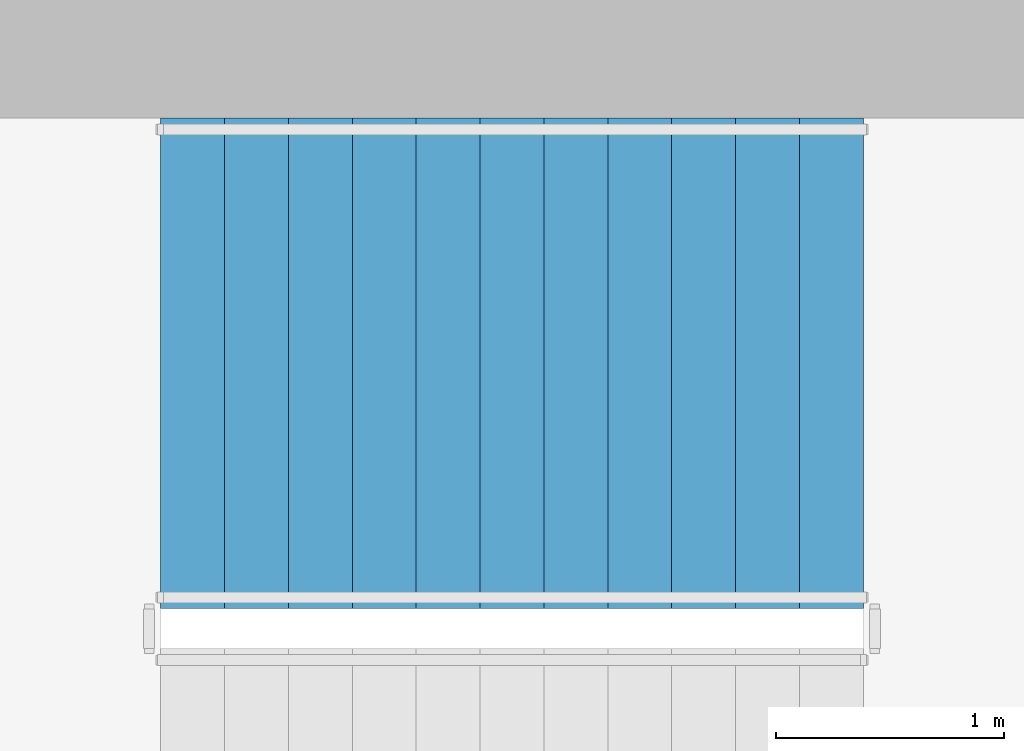
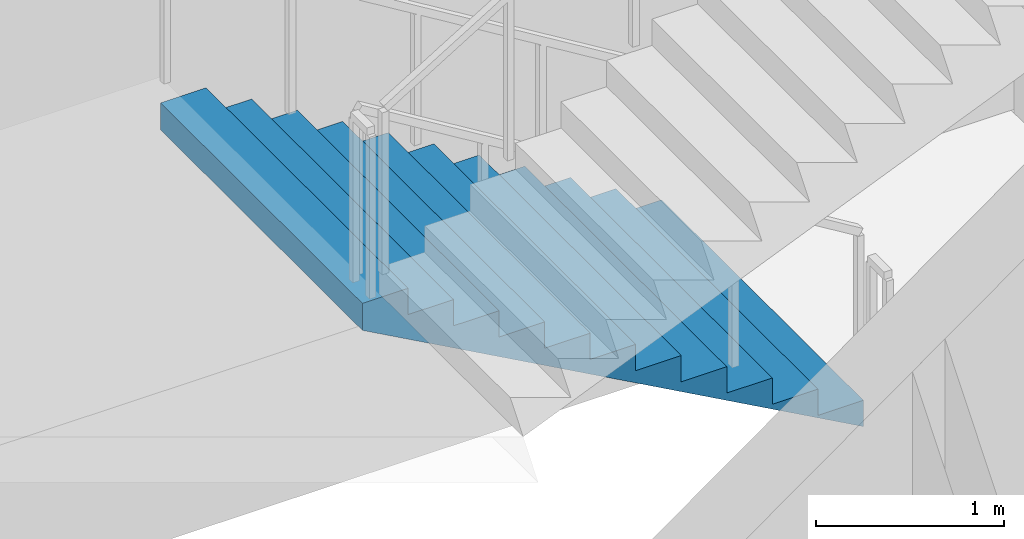
# One storey, part 11 of 18: 1 stair flight, 1 element without a shape of its own.
"""IFC4 building model written with IfcOpenShell, lengths in metres."""

from ifc_helpers import new_model, si_unit, direction, frame, origin, place, context, subcontext, project, spatial, triangles, material, type_object, element, aggregate, save


model = new_model("IFC4")

# Units and contexts
model_context = context("Model", 3, precision=1e-05, world=origin(), true_north=direction((0.0, 1.0)))
body_context = subcontext(model_context, "Body", "Model", "MODEL_VIEW")
ifc_project = project(units=[si_unit("LENGTHUNIT", "METRE"), si_unit("AREAUNIT", "SQUARE_METRE"), si_unit("VOLUMEUNIT", "CUBIC_METRE"), si_unit("PLANEANGLEUNIT", "RADIAN"), si_unit("MASSUNIT", "GRAM", prefix="KILO")], contexts=[model_context])

# Site, building, storey
site_placement = place(None, origin())
site = spatial("IfcSite", under=ifc_project, at=site_placement, CompositionType="ELEMENT")
building_placement = place(site_placement, origin())
building = spatial("IfcBuilding", under=site, at=building_placement, Name="Cypress Arch Tower", CompositionType="ELEMENT")
storey_placement = place(building_placement, frame((0.0, 0.0, 160.5)))
storey = spatial("IfcBuildingStorey", under=building, at=storey_placement, Name="L34", CompositionType="ELEMENT", Elevation=160.5)

# Stair, stair flight
ifc_material_1 = material(Name="Concrete C40/50", Category="concrete")
stair_type = type_object("IfcStairType", Name="Exit stair ES1708-215", PredefinedType="HALF_TURN_STAIR", material=ifc_material_1)
stair_placement = place(storey_placement, origin())
stair = element("IfcStair", 1, at=stair_placement, inside=storey, type_object=stair_type, Name="L34 Exit stair B", PredefinedType="HALF_TURN_STAIR")
ifc_material_2 = material(Name="Concrete C40/50", Category="concrete")
stair_flight_type = type_object("IfcStairFlightType", Name="Exit stair flight ES1708-215", PredefinedType="STRAIGHT", material=ifc_material_2)
stair_flight_placement = place(storey_placement, frame((-22.27490234375, 13.72509765625, 0.0), z_axis=(0.0, 0.0, 1.0), x_axis=(-1.0, 0.0, 0.0)))
stair_flight = element("IfcStairFlight", 2, at=stair_flight_placement, type_object=stair_flight_type, Name="B flight 1", NumberOfRisers=12, NumberOfTreads=11, PredefinedType="STRAIGHT", RiserHeight=0.170833333, TreadLength=0.28, context=body_context, shape_type="Tessellation", body=[
    triangles([(0.0, -1.074951171875, 0.0), (0.000244140625, -1.074951171875, 0.01904296875), (0.000244140625, -1.074951171875, 0.0380859375), (0.00048828125, -1.074951171875, 0.056884765625), (0.00048828125, -1.074951171875, 0.075927734375), (0.00048828125, -1.074951171875, 0.094970703125), (0.00048828125, -1.074951171875, 0.114013671875), (0.000244140625, -1.074951171875, 0.1328125), (0.000244140625, -1.074951171875, 0.15185546875), (0.0, -1.074951171875, 0.1708984375), (0.280029296875, -1.074951171875, 0.1708984375), (0.280029296875, -1.074951171875, 0.341552734375), (0.56005859375, -1.074951171875, 0.341552734375), (0.56005859375, -1.074951171875, 0.512451171875), (0.840087890625, -1.074951171875, 0.512451171875), (0.840087890625, -1.074951171875, 0.683349609375), (1.1201171875, -1.074951171875, 0.683349609375), (1.1201171875, -1.074951171875, 0.854248046875), (1.39990234375, -1.074951171875, 0.854248046875), (1.39990234375, -1.074951171875, 1.02490234375), (1.679931640625, -1.074951171875, 1.02490234375), (1.679931640625, -1.074951171875, 1.19580078125), (1.9599609375, -1.074951171875, 1.19580078125), (1.9599609375, -1.074951171875, 1.36669921875), (2.239990234375, -1.074951171875, 1.36669921875), (2.239990234375, -1.074951171875, 1.53759765625), (2.52001953125, -1.074951171875, 1.53759765625), (2.52001953125, -1.074951171875, 1.708251953125), (2.800048828125, -1.074951171875, 1.708251953125), (2.800048828125, -1.074951171875, 1.879150390625), (3.080078125, -1.074951171875, 1.879150390625), (3.079833984375, -1.074951171875, 1.859619140625), (3.079833984375, -1.074951171875, 1.840087890625), (3.07958984375, -1.074951171875, 1.820556640625), (3.07958984375, -1.074951171875, 1.801025390625), (3.07958984375, -1.074951171875, 1.78173828125), (3.07958984375, -1.074951171875, 1.76220703125), (3.079833984375, -1.074951171875, 1.74267578125), (3.079833984375, -1.074951171875, 1.72314453125), (3.080078125, -1.074951171875, 1.70361328125), (3.080078125, 1.074951171875, 1.70361328125), (3.079833984375, 1.074951171875, 1.72314453125), (3.079833984375, 1.074951171875, 1.74267578125), (3.07958984375, 1.074951171875, 1.76220703125), (3.07958984375, 1.074951171875, 1.78173828125), (3.07958984375, 1.074951171875, 1.801025390625), (3.07958984375, 1.074951171875, 1.820556640625), (3.079833984375, 1.074951171875, 1.840087890625), (3.079833984375, 1.074951171875, 1.859619140625), (3.080078125, 1.074951171875, 1.879150390625), (2.800048828125, 1.074951171875, 1.879150390625), (2.800048828125, 1.074951171875, 1.708251953125), (2.52001953125, 1.074951171875, 1.708251953125), (2.52001953125, 1.074951171875, 1.53759765625), (2.239990234375, 1.074951171875, 1.53759765625), (2.239990234375, 1.074951171875, 1.36669921875), (1.9599609375, 1.074951171875, 1.36669921875), (1.9599609375, 1.074951171875, 1.19580078125), (1.679931640625, 1.074951171875, 1.19580078125), (1.679931640625, 1.074951171875, 1.02490234375), (1.39990234375, 1.074951171875, 1.02490234375), (1.39990234375, 1.074951171875, 0.854248046875), (1.1201171875, 1.074951171875, 0.854248046875), (1.1201171875, 1.074951171875, 0.683349609375), (0.840087890625, 1.074951171875, 0.683349609375), (0.840087890625, 1.074951171875, 0.512451171875), (0.56005859375, 1.074951171875, 0.512451171875), (0.56005859375, 1.074951171875, 0.341552734375), (0.280029296875, 1.074951171875, 0.341552734375), (0.280029296875, 1.074951171875, 0.1708984375), (0.0, 1.074951171875, 0.1708984375), (0.000244140625, 1.074951171875, 0.15185546875), (0.000244140625, 1.074951171875, 0.1328125), (0.00048828125, 1.074951171875, 0.114013671875), (0.00048828125, 1.074951171875, 0.094970703125), (0.00048828125, 1.074951171875, 0.075927734375), (0.00048828125, 1.074951171875, 0.056884765625), (0.000244140625, 1.074951171875, 0.0380859375), (0.000244140625, 1.074951171875, 0.01904296875), (0.0, 1.074951171875, 0.0)], [[40, 39, 30], [39, 38, 30], [38, 37, 30], [37, 36, 30], [36, 35, 30], [35, 34, 30], [34, 33, 30], [33, 32, 30], [32, 31, 30], [19, 18, 17], [27, 26, 25], [25, 24, 23], [23, 22, 21], [17, 16, 15], [15, 14, 13], [10, 9, 11], [9, 8, 11], [8, 7, 11], [7, 6, 11], [6, 5, 11], [5, 4, 11], [4, 3, 11], [3, 2, 11], [2, 1, 11], [29, 28, 27], [21, 20, 19], [13, 12, 11], [40, 30, 29], [40, 29, 27], [40, 27, 25], [40, 25, 23], [40, 23, 21], [40, 21, 19], [40, 19, 17], [40, 17, 15], [40, 15, 13], [1, 40, 13], [13, 11, 1], [41, 51, 42], [42, 51, 43], [43, 51, 44], [44, 51, 45], [45, 51, 46], [46, 51, 47], [47, 51, 48], [48, 51, 49], [49, 51, 50], [62, 64, 63], [54, 56, 55], [56, 58, 57], [58, 60, 59], [64, 66, 65], [66, 68, 67], [71, 70, 72], [72, 70, 73], [73, 70, 74], [74, 70, 75], [75, 70, 76], [76, 70, 77], [77, 70, 78], [78, 70, 79], [79, 70, 80], [52, 54, 53], [60, 62, 61], [68, 70, 69], [41, 52, 51], [41, 54, 52], [41, 56, 54], [41, 58, 56], [41, 60, 58], [41, 62, 60], [41, 64, 62], [41, 66, 64], [41, 68, 66], [80, 68, 41], [68, 80, 70], [41, 42, 39], [41, 39, 40], [42, 43, 38], [42, 38, 39], [43, 44, 37], [43, 37, 38], [44, 45, 36], [44, 36, 37], [45, 46, 35], [45, 35, 36], [46, 47, 34], [46, 34, 35], [47, 48, 33], [47, 33, 34], [48, 49, 32], [48, 32, 33], [49, 50, 31], [49, 31, 32], [50, 51, 30], [50, 30, 31], [51, 52, 29], [51, 29, 30], [52, 53, 28], [52, 28, 29], [53, 54, 27], [53, 27, 28], [54, 55, 26], [54, 26, 27], [55, 56, 25], [55, 25, 26], [56, 57, 24], [56, 24, 25], [57, 58, 23], [57, 23, 24], [58, 59, 22], [58, 22, 23], [59, 60, 21], [59, 21, 22], [60, 61, 20], [60, 20, 21], [61, 62, 19], [61, 19, 20], [62, 63, 18], [62, 18, 19], [63, 64, 17], [63, 17, 18], [64, 65, 16], [64, 16, 17], [65, 66, 15], [65, 15, 16], [66, 67, 14], [66, 14, 15], [67, 68, 13], [67, 13, 14], [68, 69, 12], [68, 12, 13], [69, 70, 11], [69, 11, 12], [70, 71, 10], [70, 10, 11], [71, 72, 9], [71, 9, 10], [72, 73, 8], [72, 8, 9], [73, 74, 7], [73, 7, 8], [74, 75, 6], [74, 6, 7], [75, 76, 5], [75, 5, 6], [76, 77, 4], [76, 4, 5], [77, 78, 3], [77, 3, 4], [78, 79, 2], [78, 2, 3], [79, 80, 1], [79, 1, 2], [80, 41, 40], [80, 40, 1]], closed=True),
])
aggregate(stair, [stair_flight])

save(model, "model.ifc")
